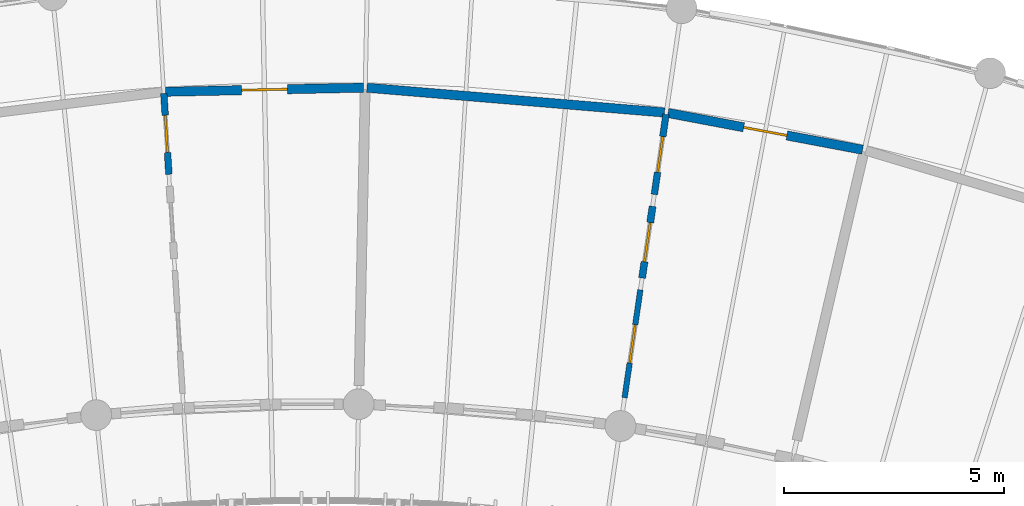
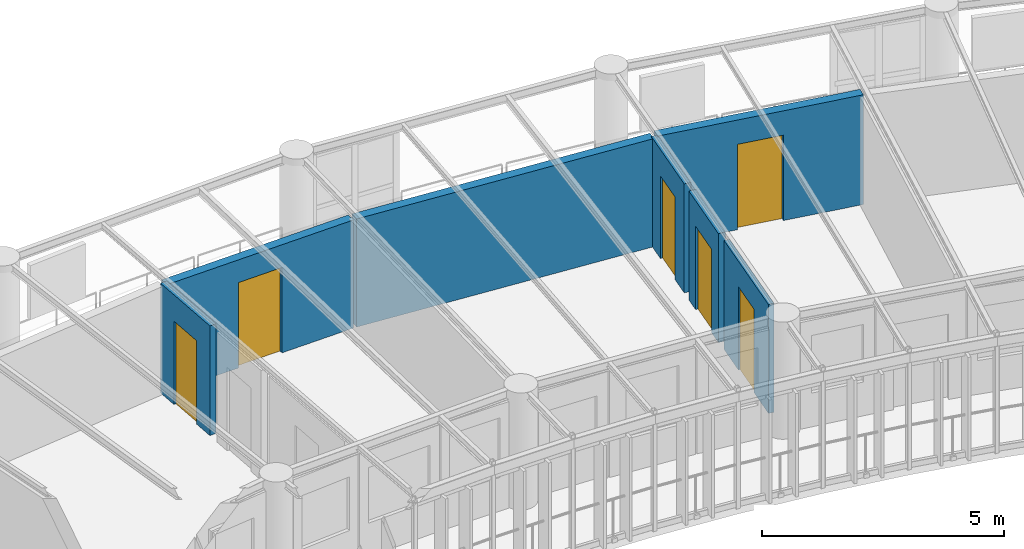
# One storey, part 94 of 123: 7 walls, 6 doors, 6 openings.
"""IFC4 building model written with IfcOpenShell, lengths in metres."""

from ifc_helpers import new_model, si_unit, direction, frame, frame_2d, origin, place, context, subcontext, project, spatial, rectangle, extrude, material, layer, layer_set, type_object, element, fill, save


model = new_model("IFC4")

# Units and contexts
model_context = context("Model", 3, precision=1e-05, world=origin(), true_north=direction((0.0, 1.0)))
body_context = subcontext(model_context, "Body", "Model", "MODEL_VIEW")
ifc_project = project(units=[si_unit("LENGTHUNIT", "METRE"), si_unit("AREAUNIT", "SQUARE_METRE"), si_unit("VOLUMEUNIT", "CUBIC_METRE"), si_unit("PLANEANGLEUNIT", "RADIAN"), si_unit("MASSUNIT", "GRAM", prefix="KILO"), si_unit("POWERUNIT", "WATT"), si_unit("THERMODYNAMICTEMPERATUREUNIT", "KELVIN")], contexts=[model_context])

# Site, building, storey
site_placement = place(None, origin())
site = spatial("IfcSite", under=ifc_project, at=site_placement, CompositionType="ELEMENT")
building_placement = place(site_placement, origin())
building = spatial("IfcBuilding", under=site, at=building_placement, Name="Ruvembo Vaulted Housing Court", CompositionType="ELEMENT")
storey_placement = place(building_placement, frame((0.0, 0.0, 7.699951171875)))
storey = spatial("IfcBuildingStorey", under=building, at=storey_placement, Name="L02", CompositionType="ELEMENT", Elevation=7.699951171875)

# Wall, opening, door
ifc_material_1 = material(Name="Concrete Blockwork 210", Category="masonry")
ifc_layer_1 = layer(ifc_material_1, 0.2099609375, Name="Concrete Blockwork 210")
ifc_layer_set_1 = layer_set([ifc_layer_1], Name="Concrete Blockwork 210")
wall_type_1 = type_object("IfcWallType", Name="WL-CORR-210", PredefinedType="SOLIDWALL", material=ifc_layer_set_1)
wall_1_placement = place(storey_placement, frame((113.605224609375, 105.093994140625, 0.0), z_axis=(0.0, 0.0, 1.0), x_axis=(0.999785356511, 0.020718129879, 0.0)))
wall_1 = element("IfcWall", 1, at=wall_1_placement, inside=storey, type_object=wall_type_1, Name="L02 Suite SC3-L02-U3 Entrance WL-INT-L02-00753", PredefinedType="SOLIDWALL", context=body_context, shape_type="SweptSolid", body=[
    extrude(rectangle(XDim=4.50146484375, YDim=0.2099609375, at=frame_2d((2.250732421875, 0.0))), origin(), (0.0, 0.0, 1.0), 2.72216796875),
])
opening_1_placement = place(wall_1_placement, frame((1.7255859375, 0.0, 0.0)))
opening_1 = element("IfcOpeningElement", 2, at=opening_1_placement, cuts=wall_1, Name="Opening FD3", PredefinedType="OPENING", context=body_context, shape_type="SweptSolid", body=[
    extrude(rectangle(XDim=1.050048828125, YDim=2.14990234375, at=frame_2d((0.52490234375, 1.074951171875))), frame((0.0, 0.114990234375, 0.0), z_axis=(0.0, -1.0, 0.0), x_axis=(1.0, 0.0, 0.0)), (0.0, 0.0, 1.0), 0.22998046875),
])
ifc_material_2 = material(Name="FSC Hardwood and Engineered Timber", Category="wood")
door_type_1 = type_object("IfcDoorType", Name="DR-FLAT-1050x2150", OperationType="NOTDEFINED", PredefinedType="DOOR", material=ifc_material_2)
door_1_placement = place(opening_1_placement, origin())
door_1 = element("IfcDoor", 3, at=door_1_placement, inside=storey, type_object=door_type_1, Name="L02 Suite SC3-L02-U3 Entrance Door DR-INT-L02-00416", OperationType="SINGLE_SWING_RIGHT", OverallHeight=2.14990234375, OverallWidth=1.050048828125, PredefinedType="DOOR", context=body_context, shape_type="SweptSolid", body=[
    extrude(rectangle(XDim=1.050048828125, YDim=2.14990234375, at=frame_2d((0.52490234375, 1.074951171875))), frame((0.0, 0.02490234375, 0.0), z_axis=(0.0, -1.0, 0.0), x_axis=(1.0, 0.0, 0.0)), (0.0, 0.0, 1.0), 0.050048828125),
])
fill(opening_1, door_1)

# Wall
wall_2_placement = place(storey_placement, frame((118.185546875, 105.184814453125, 0.0), z_axis=(0.0, 0.0, 1.0), x_axis=(0.996556165996, -0.082920492126, 0.0)))
element("IfcWall", 4, at=wall_2_placement, inside=storey, type_object=wall_type_1, Name="L02 Suite SC3-L02-U4 Gallery Wall WL-INT-L02-00758", PredefinedType="SOLIDWALL", context=body_context, shape_type="SweptSolid", body=[
    extrude(rectangle(XDim=6.78955078125, YDim=0.2099609375, at=frame_2d((3.394775390625, 0.0))), origin(), (0.0, 0.0, 1.0), 2.72216796875),
])

# Wall, opening, door
wall_3_placement = place(storey_placement, frame((125.031005859375, 104.611083984375, 0.0), z_axis=(0.0, 0.0, 1.0), x_axis=(0.982595404078, -0.18575863879, 0.0)))
wall_3 = element("IfcWall", 5, at=wall_3_placement, inside=storey, type_object=wall_type_1, Name="L02 Suite SC3-L02-U4 Entrance WL-INT-L02-00759", PredefinedType="SOLIDWALL", context=body_context, shape_type="SweptSolid", body=[
    extrude(rectangle(XDim=4.50146484375, YDim=0.2099609375, at=frame_2d((2.250732421875, 0.0))), origin(), (0.0, 0.0, 1.0), 2.761962890625),
])
opening_2_placement = place(wall_3_placement, frame((1.750732421875, 0.0, 0.0)))
opening_2 = element("IfcOpeningElement", 6, at=opening_2_placement, cuts=wall_3, Name="Opening FD1", PredefinedType="OPENING", context=body_context, shape_type="SweptSolid", body=[
    extrude(rectangle(XDim=1.0, YDim=2.14990234375, at=frame_2d((0.5, 1.074951171875))), frame((0.0, 0.114990234375, 0.0), z_axis=(0.0, -1.0, 0.0), x_axis=(1.0, 0.0, 0.0)), (0.0, 0.0, 1.0), 0.22998046875),
])
door_type_2 = type_object("IfcDoorType", Name="DR-FLAT-1000x2150", OperationType="NOTDEFINED", PredefinedType="DOOR", material=ifc_material_2)
door_2_placement = place(opening_2_placement, origin())
door_2 = element("IfcDoor", 7, at=door_2_placement, inside=storey, type_object=door_type_2, Name="L02 Suite SC3-L02-U4 Entrance Door DR-INT-L02-00420", OperationType="SINGLE_SWING_RIGHT", OverallHeight=2.14990234375, OverallWidth=1.0, PredefinedType="DOOR", context=body_context, shape_type="SweptSolid", body=[
    extrude(rectangle(XDim=1.0, YDim=2.14990234375, at=frame_2d((0.5, 1.074951171875))), frame((0.0, 0.02490234375, 0.0), z_axis=(0.0, -1.0, 0.0), x_axis=(1.0, 0.0, 0.0)), (0.0, 0.0, 1.0), 0.050048828125),
])
fill(opening_2, door_2)

ifc_material_3 = material(Name="Plasterboard Stud Partition 125", Category="gypsum")
ifc_layer_2 = layer(ifc_material_3, 0.125, Name="Plasterboard Stud Partition 125")
ifc_layer_set_2 = layer_set([ifc_layer_2], Name="Plasterboard Stud Partition 125")
wall_type_2 = type_object("IfcWallType", Name="WL-PART-125", PredefinedType="PARTITIONING", material=ifc_layer_set_2)
wall_4_placement = place(storey_placement, frame((124.043212890625, 98.135498046875, 0.0), z_axis=(0.0, 0.0, 1.0), x_axis=(0.1447145522, 0.989473445011, 0.0)))
wall_4 = element("IfcWall", 8, at=wall_4_placement, inside=storey, type_object=wall_type_2, Name="L02 Suite SC3-L02-U4 Bedroom WL-INT-L02-00760", PredefinedType="PARTITIONING", context=body_context, shape_type="SweptSolid", body=[
    extrude(rectangle(XDim=2.47998046875, YDim=0.125, at=frame_2d((1.239990234375, 0.0))), origin(), (0.0, 0.0, 1.0), 2.741943359375),
])
opening_3_placement = place(wall_4_placement, frame((0.800048828125, 0.0, 0.0)))
opening_3 = element("IfcOpeningElement", 9, at=opening_3_placement, cuts=wall_4, Name="Opening ID3", PredefinedType="OPENING", context=body_context, shape_type="SweptSolid", body=[
    extrude(rectangle(XDim=0.8798828125, YDim=2.10009765625, at=frame_2d((0.43994140625, 1.050048828125))), frame((0.0, 0.072509765625, 0.0), z_axis=(0.0, -1.0, 0.0), x_axis=(1.0, 0.0, 0.0)), (0.0, 0.0, 1.0), 0.14501953125),
])
door_type_3 = type_object("IfcDoorType", Name="DR-ROOM-0880x2100", OperationType="NOTDEFINED", PredefinedType="DOOR", material=ifc_material_2)
door_3_placement = place(opening_3_placement, origin())
door_3 = element("IfcDoor", 10, at=door_3_placement, inside=storey, type_object=door_type_3, Name="L02 Suite SC3-L02-U4 Bedroom Door DR-INT-L02-00421", OperationType="SINGLE_SWING_LEFT", OverallHeight=2.10009765625, OverallWidth=0.8798828125, PredefinedType="DOOR", context=body_context, shape_type="SweptSolid", body=[
    extrude(rectangle(XDim=0.8798828125, YDim=2.10009765625, at=frame_2d((0.43994140625, 1.050048828125))), frame((0.0, 0.02490234375, 0.0), z_axis=(0.0, -1.0, 0.0), x_axis=(1.0, 0.0, 0.0)), (0.0, 0.0, 1.0), 0.050048828125),
])
fill(opening_3, door_3)

ifc_material_4 = material(Name="Moisture-Resistant Wet Partition 150", Category="gypsum")
ifc_layer_3 = layer(ifc_material_4, 0.14990234375, Name="Moisture-Resistant Wet Partition 150")
ifc_layer_set_3 = layer_set([ifc_layer_3], Name="Moisture-Resistant Wet Partition 150")
wall_type_3 = type_object("IfcWallType", Name="WL-PART-150", PredefinedType="PARTITIONING", material=ifc_layer_set_3)
wall_5_placement = place(storey_placement, frame((113.68212890625, 103.216796875, 0.0), z_axis=(0.0, 0.0, 1.0), x_axis=(-0.062229594869, 0.998061860569, 0.0)))
wall_5 = element("IfcWall", 11, at=wall_5_placement, inside=storey, type_object=wall_type_3, Name="L02 Suite SC3-L02-U3 Bathroom WL-INT-L02-00756", PredefinedType="PARTITIONING", context=body_context, shape_type="SweptSolid", body=[
    extrude(rectangle(XDim=1.840087890625, YDim=0.14990234375, at=frame_2d((0.919921875, 0.0))), origin(), (0.0, 0.0, 1.0), 2.761962890625),
])
opening_4_placement = place(wall_5_placement, frame((0.4951171875, 0.0, 0.0)))
opening_4 = element("IfcOpeningElement", 12, at=opening_4_placement, cuts=wall_5, Name="Opening ID2", PredefinedType="OPENING", context=body_context, shape_type="SweptSolid", body=[
    extrude(rectangle(XDim=0.85009765625, YDim=2.10009765625, at=frame_2d((0.425048828125, 1.050048828125))), frame((0.0, 0.0849609375, 0.0), z_axis=(0.0, -1.0, 0.0), x_axis=(1.0, 0.0, 0.0)), (0.0, 0.0, 1.0), 0.169921875),
])
door_type_4 = type_object("IfcDoorType", Name="DR-WET-0850x2100", OperationType="NOTDEFINED", PredefinedType="DOOR", material=ifc_material_2)
door_4_placement = place(opening_4_placement, origin())
door_4 = element("IfcDoor", 13, at=door_4_placement, inside=storey, type_object=door_type_4, Name="L02 Suite SC3-L02-U3 Bathroom Door DR-INT-L02-00419", OperationType="SINGLE_SWING_LEFT", OverallHeight=2.10009765625, OverallWidth=0.85009765625, PredefinedType="DOOR", context=body_context, shape_type="SweptSolid", body=[
    extrude(rectangle(XDim=0.85009765625, YDim=2.10009765625, at=frame_2d((0.425048828125, 1.050048828125))), frame((0.0, 0.02490234375, 0.0), z_axis=(0.0, -1.0, 0.0), x_axis=(1.0, 0.0, 0.0)), (0.0, 0.0, 1.0), 0.050048828125),
])
fill(opening_4, door_4)

wall_6_placement = place(storey_placement, frame((124.719482421875, 102.75830078125, 0.0), z_axis=(0.0, 0.0, 1.0), x_axis=(0.144764326796, 0.989466163993, 0.0)))
wall_6 = element("IfcWall", 14, at=wall_6_placement, inside=storey, type_object=wall_type_3, Name="L02 Suite SC3-L02-U4 Bathroom WL-INT-L02-00762", PredefinedType="PARTITIONING", context=body_context, shape_type="SweptSolid", body=[
    extrude(rectangle(XDim=1.83984375, YDim=0.14990234375, at=frame_2d((0.919921875, 0.0))), origin(), (0.0, 0.0, 1.0), 2.741943359375),
])
opening_5_placement = place(wall_6_placement, frame((0.510009765625, 0.0, 0.0)))
opening_5 = element("IfcOpeningElement", 15, at=opening_5_placement, cuts=wall_6, Name="Opening ID4", PredefinedType="OPENING", context=body_context, shape_type="SweptSolid", body=[
    extrude(rectangle(XDim=0.820068359375, YDim=2.080078125, at=frame_2d((0.41015625, 1.0400390625))), frame((0.0, 0.0849609375, 0.0), z_axis=(0.0, -1.0, 0.0), x_axis=(1.0, 0.0, 0.0)), (0.0, 0.0, 1.0), 0.169921875),
])
door_type_5 = type_object("IfcDoorType", Name="DR-WET-0820x2080", OperationType="NOTDEFINED", PredefinedType="DOOR", material=ifc_material_2)
door_5_placement = place(opening_5_placement, origin())
door_5 = element("IfcDoor", 16, at=door_5_placement, inside=storey, type_object=door_type_5, Name="L02 Suite SC3-L02-U4 Bathroom Door DR-INT-L02-00423", OperationType="SINGLE_SWING_LEFT", OverallHeight=2.080078125, OverallWidth=0.820068359375, PredefinedType="DOOR", context=body_context, shape_type="SweptSolid", body=[
    extrude(rectangle(XDim=0.820068359375, YDim=2.080078125, at=frame_2d((0.41015625, 1.0400390625))), frame((0.0, 0.02490234375, 0.0), z_axis=(0.0, -1.0, 0.0), x_axis=(1.0, 0.0, 0.0)), (0.0, 0.0, 1.0), 0.050048828125),
])
fill(opening_5, door_5)

ifc_material_5 = material(Name="Acoustic Service Chase Wall 160", Category="gypsum")
ifc_layer_4 = layer(ifc_material_5, 0.159912109375, Name="Acoustic Service Chase Wall 160")
ifc_layer_set_4 = layer_set([ifc_layer_4], Name="Acoustic Service Chase Wall 160")
wall_type_4 = type_object("IfcWallType", Name="WL-PLUMB-160", PredefinedType="PLUMBINGWALL", material=ifc_layer_set_4)
wall_7_placement = place(storey_placement, frame((124.44140625, 100.8583984375, 0.0), z_axis=(0.0, 0.0, 1.0), x_axis=(0.144884079374, 0.989448636132, 0.0)))
wall_7 = element("IfcWall", 17, at=wall_7_placement, inside=storey, type_object=wall_type_4, Name="L02 Suite SC3-L02-U4 Kitchen WL-INT-L02-00761", PredefinedType="PLUMBINGWALL", context=body_context, shape_type="SweptSolid", body=[
    extrude(rectangle(XDim=1.64794921875, YDim=0.159912109375, at=frame_2d((0.823974609375, 0.0))), origin(), (0.0, 0.0, 1.0), 2.741943359375),
])
opening_6_placement = place(wall_7_placement, frame((0.3740234375, 0.0, 0.0)))
opening_6 = element("IfcOpeningElement", 18, at=opening_6_placement, cuts=wall_7, Name="Opening ID1", PredefinedType="OPENING", context=body_context, shape_type="SweptSolid", body=[
    extrude(rectangle(XDim=0.89990234375, YDim=2.10009765625, at=frame_2d((0.449951171875, 1.050048828125))), frame((0.0, 0.08984375, 0.0), z_axis=(0.0, -1.0, 0.0), x_axis=(1.0, 0.0, 0.0)), (0.0, 0.0, 1.0), 0.179931640625),
])
door_type_6 = type_object("IfcDoorType", Name="DR-ROOM-0900x2100", OperationType="NOTDEFINED", PredefinedType="DOOR", material=ifc_material_2)
door_6_placement = place(opening_6_placement, origin())
door_6 = element("IfcDoor", 19, at=door_6_placement, inside=storey, type_object=door_type_6, Name="L02 Suite SC3-L02-U4 Kitchen Door DR-INT-L02-00422", OperationType="SINGLE_SWING_RIGHT", OverallHeight=2.10009765625, OverallWidth=0.89990234375, PredefinedType="DOOR", context=body_context, shape_type="SweptSolid", body=[
    extrude(rectangle(XDim=0.89990234375, YDim=2.10009765625, at=frame_2d((0.449951171875, 1.050048828125))), frame((0.0, 0.02490234375, 0.0), z_axis=(0.0, -1.0, 0.0), x_axis=(1.0, 0.0, 0.0)), (0.0, 0.0, 1.0), 0.050048828125),
])
fill(opening_6, door_6)

save(model, "model.ifc")
